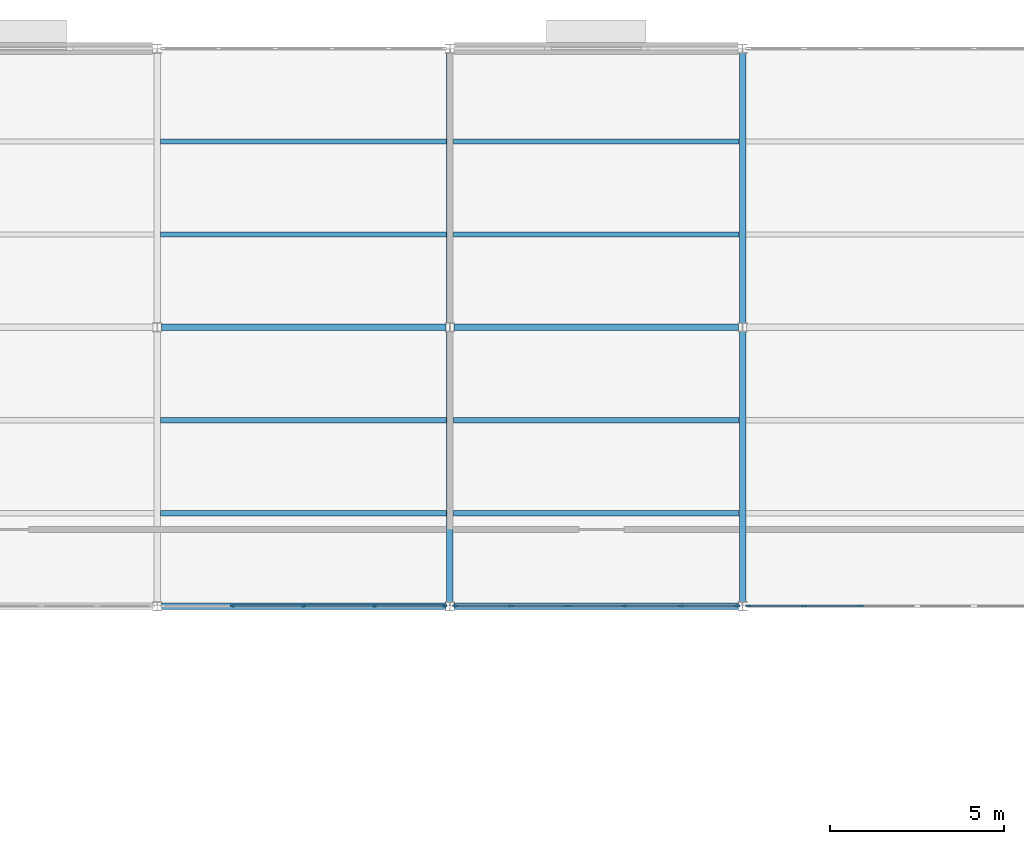
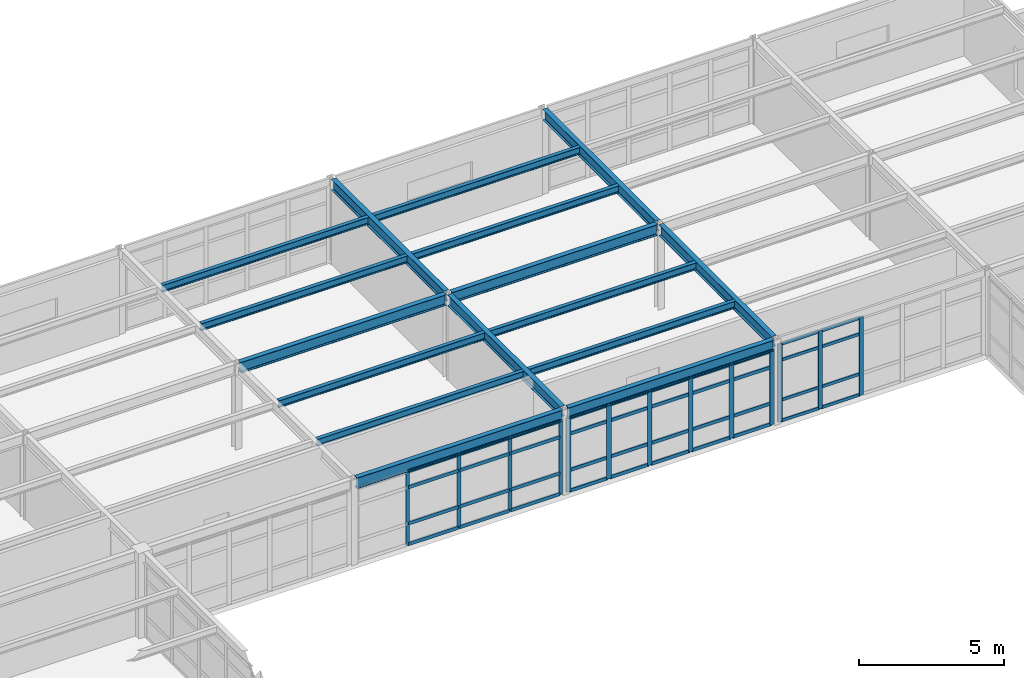
# One storey, part 28 of 53: 53 members, 16 beams, 3 elements without a shape of their own.
"""IFC4 building model written with IfcOpenShell, lengths in metres."""

from ifc_helpers import new_model, si_unit, direction, frame, origin, origin_2d, place, context, subcontext, project, spatial, rectangle, i_section, extrude, material, layer, layer_set, material_profile, profile_set, type_object, element, aggregate, save


model = new_model("IFC4")

# Units and contexts
model_context = context("Model", 3, precision=1e-05, world=origin(), true_north=direction((0.0, 1.0)))
body_context = subcontext(model_context, "Body", "Model", "MODEL_VIEW")
ifc_project = project(units=[si_unit("LENGTHUNIT", "METRE"), si_unit("AREAUNIT", "SQUARE_METRE"), si_unit("VOLUMEUNIT", "CUBIC_METRE"), si_unit("PLANEANGLEUNIT", "RADIAN"), si_unit("MASSUNIT", "GRAM", prefix="KILO")], contexts=[model_context])

# Site, building, storey
site_placement = place(None, origin())
site = spatial("IfcSite", under=ifc_project, at=site_placement, CompositionType="ELEMENT")
building_placement = place(site_placement, origin())
building = spatial("IfcBuilding", under=site, at=building_placement, Name="Kranzveld Transit Interchange", CompositionType="ELEMENT")
storey_placement = place(building_placement, frame((0.0, 0.0, 13.360107421875)))
storey = spatial("IfcBuildingStorey", under=building, at=storey_placement, Name="L03", CompositionType="ELEMENT", Elevation=13.360107421875)

# Beams
ifc_material_1 = material(Name="Steel S355JR", Category="steel")
ifc_material_profile_1 = material_profile(ifc_material_1, i_section(OverallWidth=0.18994140625, OverallDepth=0.453369140625, WebThickness=0.008544921875, FlangeThickness=0.0126953125, FilletRadius=0.01025390625, at=origin_2d()), Name="UB 457x191x67")
ifc_profile_set_1 = profile_set([ifc_material_profile_1], Name="Steel S355JR")
beam_type_1 = type_object("IfcBeamType", Name="Beam Steel UB 457x191x67 S355JR", PredefinedType="BEAM", material=ifc_profile_set_1)
for number, where, z_axis, x_axis, name in (
    (1, (134.39990234375, 96.1201171875, 3.353271484375), (0.0, 1.0, 0.0), (-1.0, 0.0, 0.0), "L03 Girder 17/N-P"),
    (2, (134.39990234375, 104.1201171875, 3.353271484375), (0.0, 1.0, 0.0), (-1.0, 0.0, 0.0), "L03 Girder 17/P-Q"),
    (3, (142.800048828125, 96.1201171875, 3.353271484375), (0.0, 1.0, 0.0), (-1.0, 0.0, 0.0), "L03 Girder 18/N-P"),
    (4, (142.800048828125, 104.1201171875, 3.353271484375), (0.0, 1.0, 0.0), (-1.0, 0.0, 0.0), "L03 Girder 18/P-Q"),
):
    element("IfcBeam", number, at=place(storey_placement, frame(where, z_axis=z_axis, x_axis=x_axis)), inside=storey, type_object=beam_type_1, Name=name, PredefinedType="BEAM", context=body_context, shape_type="SweptSolid", body=[
        extrude(i_section(OverallWidth=0.18994140625, OverallDepth=0.453369140625, WebThickness=0.008544921875, FlangeThickness=0.0126953125, FilletRadius=0.01025390625, at=origin_2d()), origin(), (0.0, 0.0, 1.0), 7.759765625),
    ])
ifc_material_2 = material(Name="Steel S355JR", Category="steel")
ifc_material_profile_2 = material_profile(ifc_material_2, i_section(OverallWidth=0.1904296875, OverallDepth=0.45703125, WebThickness=0.009033203125, FlangeThickness=0.014404296875, FilletRadius=0.01025390625, at=origin_2d()), Name="UB 457x191x74")
ifc_profile_set_2 = profile_set([ifc_material_profile_2], Name="Steel S355JR")
beam_type_2 = type_object("IfcBeamType", Name="Beam Steel UB 457x191x74 S355JR", PredefinedType="BEAM", material=ifc_profile_set_2)
for number, where, z_axis, x_axis, name in (
    (5, (126.1181640625, 96.0, 3.351318359375), (1.0, 0.0, 0.0), (0.0, 1.0, 0.0), "L03 Girder 16-17/N"),
    (6, (134.51806640625, 96.0, 3.351318359375), (1.0, 0.0, 0.0), (0.0, 1.0, 0.0), "L03 Girder 17-18/N"),
    (7, (126.1181640625, 104.0, 3.351318359375), (1.0, 0.0, 0.0), (0.0, 1.0, 0.0), "L03 Girder 16-17/P"),
    (8, (134.51806640625, 104.0, 3.351318359375), (1.0, 0.0, 0.0), (0.0, 1.0, 0.0), "L03 Girder 17-18/P"),
):
    element("IfcBeam", number, at=place(storey_placement, frame(where, z_axis=z_axis, x_axis=x_axis)), inside=storey, type_object=beam_type_2, Name=name, PredefinedType="BEAM", context=body_context, shape_type="SweptSolid", body=[
        extrude(i_section(OverallWidth=0.1904296875, OverallDepth=0.45703125, WebThickness=0.009033203125, FlangeThickness=0.014404296875, FilletRadius=0.01025390625, at=origin_2d()), origin(), (0.0, 0.0, 1.0), 8.163818359375),
    ])

# Curtain wall, members
ifc_material_3 = material(Name="Bronze-anodised thermally broken aluminium", Category="aluminium")
ifc_layer_1 = layer(ifc_material_3, 0.159912109375)
ifc_layer_set_1 = layer_set([ifc_layer_1], Name="Bronze-anodised thermally broken aluminium")
curtain_wall_type_1 = type_object("IfcCurtainWallType", Name="Bus Boarding Glazed Screen CW-3", PredefinedType="USERDEFINED", material=ifc_layer_set_1)
curtain_wall_1_placement = place(storey_placement, origin())
curtain_wall_1 = element("IfcCurtainWall", 9, at=curtain_wall_1_placement, inside=storey, type_object=curtain_wall_type_1, Name="L03 Curtain Wall 16/N-17/N", ObjectType="CURTAIN WALL", PredefinedType="USERDEFINED")
ifc_material_4 = material(Name="Bronze-anodised thermally broken aluminium", Category="aluminium")
ifc_material_profile_3 = material_profile(ifc_material_4, rectangle(XDim=0.06005859375, YDim=0.14990234375, at=origin_2d()), Name="ALU MULLION 60x150")
ifc_profile_set_3 = profile_set([ifc_material_profile_3], Name="Bronze-anodised thermally broken aluminium")
member_type_1 = type_object("IfcMemberType", Name="Curtain Wall Mullion 60x150 Alu", PredefinedType="MULLION", material=ifc_profile_set_3)
member_1_placement = place(storey_placement, frame((128.1640625, 96.0, 0.0), z_axis=(0.0, 0.0, 1.0), x_axis=(0.0, 1.0, 0.0)))
member_1 = element("IfcMember", 10, at=member_1_placement, type_object=member_type_1, Name="CW-3 mullion 2", PredefinedType="MULLION", context=body_context, shape_type="SweptSolid", body=[
    extrude(rectangle(XDim=0.06005859375, YDim=0.14990234375, at=origin_2d()), origin(), (0.0, 0.0, 1.0), 3.122802734375),
])
member_2_placement = place(storey_placement, frame((130.199951171875, 96.0, 0.0), z_axis=(0.0, 0.0, 1.0), x_axis=(0.0, 1.0, 0.0)))
member_2 = element("IfcMember", 11, at=member_2_placement, type_object=member_type_1, Name="CW-3 mullion 3", PredefinedType="MULLION", context=body_context, shape_type="SweptSolid", body=[
    extrude(rectangle(XDim=0.06005859375, YDim=0.14990234375, at=origin_2d()), origin(), (0.0, 0.0, 1.0), 3.122802734375),
])
member_3_placement = place(storey_placement, frame((132.23583984375, 96.0, 0.0), z_axis=(0.0, 0.0, 1.0), x_axis=(0.0, 1.0, 0.0)))
member_3 = element("IfcMember", 12, at=member_3_placement, type_object=member_type_1, Name="CW-3 mullion 4", PredefinedType="MULLION", context=body_context, shape_type="SweptSolid", body=[
    extrude(rectangle(XDim=0.06005859375, YDim=0.14990234375, at=origin_2d()), origin(), (0.0, 0.0, 1.0), 3.122802734375),
])
member_4_placement = place(storey_placement, frame((134.241943359375, 96.0, 0.0), z_axis=(0.0, 0.0, 1.0), x_axis=(0.0, 1.0, 0.0)))
member_4 = element("IfcMember", 13, at=member_4_placement, type_object=member_type_1, Name="CW-3 mullion 5", PredefinedType="MULLION", context=body_context, shape_type="SweptSolid", body=[
    extrude(rectangle(XDim=0.06005859375, YDim=0.14990234375, at=origin_2d()), origin(), (0.0, 0.0, 1.0), 3.122802734375),
])

ifc_material_5 = material(Name="Bronze-anodised thermally broken aluminium", Category="aluminium")
ifc_layer_2 = layer(ifc_material_5, 0.1650390625)
ifc_layer_set_2 = layer_set([ifc_layer_2], Name="Bronze-anodised thermally broken aluminium")
curtain_wall_type_2 = type_object("IfcCurtainWallType", Name="Sunny Court Arcade Curtain Wall CW-2", PredefinedType="USERDEFINED", material=ifc_layer_set_2)
curtain_wall_2_placement = place(storey_placement, origin())
curtain_wall_2 = element("IfcCurtainWall", 14, at=curtain_wall_2_placement, inside=storey, type_object=curtain_wall_type_2, Name="L03 Curtain Wall 18/N-19/N", ObjectType="CURTAIN WALL", PredefinedType="USERDEFINED")
ifc_material_6 = material(Name="Bronze-anodised thermally broken aluminium", Category="aluminium")
ifc_material_profile_4 = material_profile(ifc_material_6, rectangle(XDim=0.06494140625, YDim=0.1650390625, at=origin_2d()), Name="ALU MULLION 65x165")
ifc_profile_set_4 = profile_set([ifc_material_profile_4], Name="Bronze-anodised thermally broken aluminium")
member_type_2 = type_object("IfcMemberType", Name="Curtain Wall Mullion 65x165 Alu", PredefinedType="MULLION", material=ifc_profile_set_4)
member_5_placement = place(storey_placement, frame((142.960693359375, 96.0, 0.0), z_axis=(0.0, 0.0, 1.0), x_axis=(0.0, 1.0, 0.0)))
member_5 = element("IfcMember", 15, at=member_5_placement, type_object=member_type_2, Name="CW-2 mullion 1", PredefinedType="MULLION", context=body_context, shape_type="SweptSolid", body=[
    extrude(rectangle(XDim=0.06494140625, YDim=0.1650390625, at=origin_2d()), origin(), (0.0, 0.0, 1.0), 3.27978515625),
])
member_6_placement = place(storey_placement, frame((144.556884765625, 96.0, 0.0), z_axis=(0.0, 0.0, 1.0), x_axis=(0.0, 1.0, 0.0)))
member_6 = element("IfcMember", 16, at=member_6_placement, type_object=member_type_2, Name="CW-2 mullion 2", PredefinedType="MULLION", context=body_context, shape_type="SweptSolid", body=[
    extrude(rectangle(XDim=0.06494140625, YDim=0.1650390625, at=origin_2d()), origin(), (0.0, 0.0, 1.0), 3.27978515625),
])
member_7_placement = place(storey_placement, frame((146.185546875, 96.0, 0.0), z_axis=(0.0, 0.0, 1.0), x_axis=(0.0, 1.0, 0.0)))
member_7 = element("IfcMember", 17, at=member_7_placement, type_object=member_type_2, Name="CW-2 mullion 3", PredefinedType="MULLION", context=body_context, shape_type="SweptSolid", body=[
    extrude(rectangle(XDim=0.06494140625, YDim=0.1650390625, at=origin_2d()), origin(), (0.0, 0.0, 1.0), 3.27978515625),
])

ifc_material_7 = material(Name="Bronze-anodised thermally broken aluminium", Category="aluminium")
ifc_layer_3 = layer(ifc_material_7, 0.179931640625)
ifc_layer_set_3 = layer_set([ifc_layer_3], Name="Bronze-anodised thermally broken aluminium")
curtain_wall_type_3 = type_object("IfcCurtainWallType", Name="Concourse Unitised Curtain Wall CW-1", PredefinedType="USERDEFINED", material=ifc_layer_set_3)
curtain_wall_3_placement = place(storey_placement, origin())
curtain_wall_3 = element("IfcCurtainWall", 18, at=curtain_wall_3_placement, inside=storey, type_object=curtain_wall_type_3, Name="L03 Curtain Wall 17/N-18/N", ObjectType="CURTAIN WALL", PredefinedType="USERDEFINED")
ifc_material_8 = material(Name="Bronze-anodised thermally broken aluminium", Category="aluminium")
ifc_material_profile_5 = material_profile(ifc_material_8, rectangle(XDim=0.06494140625, YDim=0.179931640625, at=origin_2d()), Name="ALU MULLION 65x180")
ifc_profile_set_5 = profile_set([ifc_material_profile_5], Name="Bronze-anodised thermally broken aluminium")
member_type_3 = type_object("IfcMemberType", Name="Curtain Wall Mullion 65x180 Alu", PredefinedType="MULLION", material=ifc_profile_set_5)
member_8_placement = place(storey_placement, frame((134.560546875, 96.0, 0.0), z_axis=(0.0, 0.0, 1.0), x_axis=(0.0, 1.0, 0.0)))
member_8 = element("IfcMember", 19, at=member_8_placement, type_object=member_type_3, Name="CW-1 mullion 1", PredefinedType="MULLION", context=body_context, shape_type="SweptSolid", body=[
    extrude(rectangle(XDim=0.06494140625, YDim=0.179931640625, at=origin_2d()), origin(), (0.0, 0.0, 1.0), 3.122802734375),
])
member_9_placement = place(storey_placement, frame((136.15673828125, 96.0, 0.0), z_axis=(0.0, 0.0, 1.0), x_axis=(0.0, 1.0, 0.0)))
member_9 = element("IfcMember", 20, at=member_9_placement, type_object=member_type_3, Name="CW-1 mullion 2", PredefinedType="MULLION", context=body_context, shape_type="SweptSolid", body=[
    extrude(rectangle(XDim=0.06494140625, YDim=0.179931640625, at=origin_2d()), origin(), (0.0, 0.0, 1.0), 3.122802734375),
])
member_10_placement = place(storey_placement, frame((137.78564453125, 96.0, 0.0), z_axis=(0.0, 0.0, 1.0), x_axis=(0.0, 1.0, 0.0)))
member_10 = element("IfcMember", 21, at=member_10_placement, type_object=member_type_3, Name="CW-1 mullion 3", PredefinedType="MULLION", context=body_context, shape_type="SweptSolid", body=[
    extrude(rectangle(XDim=0.06494140625, YDim=0.179931640625, at=origin_2d()), origin(), (0.0, 0.0, 1.0), 3.122802734375),
])
member_11_placement = place(storey_placement, frame((139.414306640625, 96.0, 0.0), z_axis=(0.0, 0.0, 1.0), x_axis=(0.0, 1.0, 0.0)))
member_11 = element("IfcMember", 22, at=member_11_placement, type_object=member_type_3, Name="CW-1 mullion 4", PredefinedType="MULLION", context=body_context, shape_type="SweptSolid", body=[
    extrude(rectangle(XDim=0.06494140625, YDim=0.179931640625, at=origin_2d()), origin(), (0.0, 0.0, 1.0), 3.122802734375),
])
member_12_placement = place(storey_placement, frame((141.043212890625, 96.0, 0.0), z_axis=(0.0, 0.0, 1.0), x_axis=(0.0, 1.0, 0.0)))
member_12 = element("IfcMember", 23, at=member_12_placement, type_object=member_type_3, Name="CW-1 mullion 5", PredefinedType="MULLION", context=body_context, shape_type="SweptSolid", body=[
    extrude(rectangle(XDim=0.06494140625, YDim=0.179931640625, at=origin_2d()), origin(), (0.0, 0.0, 1.0), 3.122802734375),
])
member_13_placement = place(storey_placement, frame((142.639404296875, 96.0, 0.0), z_axis=(0.0, 0.0, 1.0), x_axis=(0.0, 1.0, 0.0)))
member_13 = element("IfcMember", 24, at=member_13_placement, type_object=member_type_3, Name="CW-1 mullion 6", PredefinedType="MULLION", context=body_context, shape_type="SweptSolid", body=[
    extrude(rectangle(XDim=0.06494140625, YDim=0.179931640625, at=origin_2d()), origin(), (0.0, 0.0, 1.0), 3.122802734375),
])

# Member
ifc_material_9 = material(Name="Bronze-anodised thermally broken aluminium", Category="aluminium")
ifc_material_profile_6 = material_profile(ifc_material_9, rectangle(XDim=0.06005859375, YDim=0.125, at=origin_2d()), Name="ALU TRANSOM 60x125")
ifc_profile_set_6 = profile_set([ifc_material_profile_6], Name="Bronze-anodised thermally broken aluminium")
member_type_4 = type_object("IfcMemberType", Name="Curtain Wall Transom 60x125 Alu", PredefinedType="USERDEFINED", material=ifc_profile_set_6)
member_14_placement = place(storey_placement, frame((142.9931640625, 96.0, 0.02978515625), z_axis=(1.0, 0.0, 0.0), x_axis=(0.0, 1.0, 0.0)))
member_14 = element("IfcMember", 25, at=member_14_placement, type_object=member_type_4, Name="CW-2 transom 1.1", ObjectType="TRANSOM", PredefinedType="USERDEFINED", context=body_context, shape_type="SweptSolid", body=[
    extrude(rectangle(XDim=0.06005859375, YDim=0.125, at=origin_2d()), origin(), (0.0, 0.0, 1.0), 1.53125),
])

member_15_placement = place(storey_placement, frame((142.9931640625, 96.0, 0.89990234375), z_axis=(1.0, 0.0, 0.0), x_axis=(0.0, 1.0, 0.0)))
member_15 = element("IfcMember", 26, at=member_15_placement, type_object=member_type_4, Name="CW-2 transom 1.2", ObjectType="TRANSOM", PredefinedType="USERDEFINED", context=body_context, shape_type="SweptSolid", body=[
    extrude(rectangle(XDim=0.06005859375, YDim=0.125, at=origin_2d()), origin(), (0.0, 0.0, 1.0), 1.53125),
])

member_16_placement = place(storey_placement, frame((142.9931640625, 96.0, 2.579833984375), z_axis=(1.0, 0.0, 0.0), x_axis=(0.0, 1.0, 0.0)))
member_16 = element("IfcMember", 27, at=member_16_placement, type_object=member_type_4, Name="CW-2 transom 1.3", ObjectType="TRANSOM", PredefinedType="USERDEFINED", context=body_context, shape_type="SweptSolid", body=[
    extrude(rectangle(XDim=0.06005859375, YDim=0.125, at=origin_2d()), origin(), (0.0, 0.0, 1.0), 1.53125),
])

member_17_placement = place(storey_placement, frame((142.9931640625, 96.0, 3.25), z_axis=(1.0, 0.0, 0.0), x_axis=(0.0, 1.0, 0.0)))
member_17 = element("IfcMember", 28, at=member_17_placement, type_object=member_type_4, Name="CW-2 transom 1.4", ObjectType="TRANSOM", PredefinedType="USERDEFINED", context=body_context, shape_type="SweptSolid", body=[
    extrude(rectangle(XDim=0.06005859375, YDim=0.125, at=origin_2d()), origin(), (0.0, 0.0, 1.0), 1.53125),
])

member_18_placement = place(storey_placement, frame((144.58935546875, 96.0, 0.02978515625), z_axis=(1.0, 0.0, 0.0), x_axis=(0.0, 1.0, 0.0)))
member_18 = element("IfcMember", 29, at=member_18_placement, type_object=member_type_4, Name="CW-2 transom 2.1", ObjectType="TRANSOM", PredefinedType="USERDEFINED", context=body_context, shape_type="SweptSolid", body=[
    extrude(rectangle(XDim=0.06005859375, YDim=0.125, at=origin_2d()), origin(), (0.0, 0.0, 1.0), 1.563720703125),
])

member_19_placement = place(storey_placement, frame((144.58935546875, 96.0, 0.89990234375), z_axis=(1.0, 0.0, 0.0), x_axis=(0.0, 1.0, 0.0)))
member_19 = element("IfcMember", 30, at=member_19_placement, type_object=member_type_4, Name="CW-2 transom 2.2", ObjectType="TRANSOM", PredefinedType="USERDEFINED", context=body_context, shape_type="SweptSolid", body=[
    extrude(rectangle(XDim=0.06005859375, YDim=0.125, at=origin_2d()), origin(), (0.0, 0.0, 1.0), 1.563720703125),
])

member_20_placement = place(storey_placement, frame((144.58935546875, 96.0, 2.579833984375), z_axis=(1.0, 0.0, 0.0), x_axis=(0.0, 1.0, 0.0)))
member_20 = element("IfcMember", 31, at=member_20_placement, type_object=member_type_4, Name="CW-2 transom 2.3", ObjectType="TRANSOM", PredefinedType="USERDEFINED", context=body_context, shape_type="SweptSolid", body=[
    extrude(rectangle(XDim=0.06005859375, YDim=0.125, at=origin_2d()), origin(), (0.0, 0.0, 1.0), 1.563720703125),
])

member_21_placement = place(storey_placement, frame((144.58935546875, 96.0, 3.25), z_axis=(1.0, 0.0, 0.0), x_axis=(0.0, 1.0, 0.0)))
member_21 = element("IfcMember", 32, at=member_21_placement, type_object=member_type_4, Name="CW-2 transom 2.4", ObjectType="TRANSOM", PredefinedType="USERDEFINED", context=body_context, shape_type="SweptSolid", body=[
    extrude(rectangle(XDim=0.06005859375, YDim=0.125, at=origin_2d()), origin(), (0.0, 0.0, 1.0), 1.563720703125),
])

aggregate(curtain_wall_2, [member_5, member_6, member_7, member_14, member_15, member_16, member_17, member_18, member_19, member_20, member_21])

ifc_material_10 = material(Name="Bronze-anodised thermally broken aluminium", Category="aluminium")
ifc_material_profile_7 = material_profile(ifc_material_10, rectangle(XDim=0.06494140625, YDim=0.139892578125, at=origin_2d()), Name="ALU TRANSOM 65x140")
ifc_profile_set_7 = profile_set([ifc_material_profile_7], Name="Bronze-anodised thermally broken aluminium")
member_type_5 = type_object("IfcMemberType", Name="Curtain Wall Transom 65x140 Alu", PredefinedType="USERDEFINED", material=ifc_profile_set_7)
member_22_placement = place(storey_placement, frame((128.194091796875, 96.0, 0.032470703125), z_axis=(1.0, 0.0, 0.0), x_axis=(0.0, 1.0, 0.0)))
member_22 = element("IfcMember", 33, at=member_22_placement, type_object=member_type_5, Name="CW-3 transom 2.1", ObjectType="TRANSOM", PredefinedType="USERDEFINED", context=body_context, shape_type="SweptSolid", body=[
    extrude(rectangle(XDim=0.06494140625, YDim=0.139892578125, at=origin_2d()), origin(), (0.0, 0.0, 1.0), 1.975830078125),
])

member_23_placement = place(storey_placement, frame((128.194091796875, 96.0, 0.89990234375), z_axis=(1.0, 0.0, 0.0), x_axis=(0.0, 1.0, 0.0)))
member_23 = element("IfcMember", 34, at=member_23_placement, type_object=member_type_5, Name="CW-3 transom 2.2", ObjectType="TRANSOM", PredefinedType="USERDEFINED", context=body_context, shape_type="SweptSolid", body=[
    extrude(rectangle(XDim=0.06494140625, YDim=0.139892578125, at=origin_2d()), origin(), (0.0, 0.0, 1.0), 1.975830078125),
])

member_24_placement = place(storey_placement, frame((128.194091796875, 96.0, 2.4228515625), z_axis=(1.0, 0.0, 0.0), x_axis=(0.0, 1.0, 0.0)))
member_24 = element("IfcMember", 35, at=member_24_placement, type_object=member_type_5, Name="CW-3 transom 2.3", ObjectType="TRANSOM", PredefinedType="USERDEFINED", context=body_context, shape_type="SweptSolid", body=[
    extrude(rectangle(XDim=0.06494140625, YDim=0.139892578125, at=origin_2d()), origin(), (0.0, 0.0, 1.0), 1.975830078125),
])

member_25_placement = place(storey_placement, frame((128.194091796875, 96.0, 3.09033203125), z_axis=(1.0, 0.0, 0.0), x_axis=(0.0, 1.0, 0.0)))
member_25 = element("IfcMember", 36, at=member_25_placement, type_object=member_type_5, Name="CW-3 transom 2.4", ObjectType="TRANSOM", PredefinedType="USERDEFINED", context=body_context, shape_type="SweptSolid", body=[
    extrude(rectangle(XDim=0.06494140625, YDim=0.139892578125, at=origin_2d()), origin(), (0.0, 0.0, 1.0), 1.975830078125),
])

member_26_placement = place(storey_placement, frame((130.22998046875, 96.0, 0.032470703125), z_axis=(1.0, 0.0, 0.0), x_axis=(0.0, 1.0, 0.0)))
member_26 = element("IfcMember", 37, at=member_26_placement, type_object=member_type_5, Name="CW-3 transom 3.1", ObjectType="TRANSOM", PredefinedType="USERDEFINED", context=body_context, shape_type="SweptSolid", body=[
    extrude(rectangle(XDim=0.06494140625, YDim=0.139892578125, at=origin_2d()), origin(), (0.0, 0.0, 1.0), 1.97607421875),
])

member_27_placement = place(storey_placement, frame((130.22998046875, 96.0, 0.89990234375), z_axis=(1.0, 0.0, 0.0), x_axis=(0.0, 1.0, 0.0)))
member_27 = element("IfcMember", 38, at=member_27_placement, type_object=member_type_5, Name="CW-3 transom 3.2", ObjectType="TRANSOM", PredefinedType="USERDEFINED", context=body_context, shape_type="SweptSolid", body=[
    extrude(rectangle(XDim=0.06494140625, YDim=0.139892578125, at=origin_2d()), origin(), (0.0, 0.0, 1.0), 1.97607421875),
])

member_28_placement = place(storey_placement, frame((130.22998046875, 96.0, 2.4228515625), z_axis=(1.0, 0.0, 0.0), x_axis=(0.0, 1.0, 0.0)))
member_28 = element("IfcMember", 39, at=member_28_placement, type_object=member_type_5, Name="CW-3 transom 3.3", ObjectType="TRANSOM", PredefinedType="USERDEFINED", context=body_context, shape_type="SweptSolid", body=[
    extrude(rectangle(XDim=0.06494140625, YDim=0.139892578125, at=origin_2d()), origin(), (0.0, 0.0, 1.0), 1.97607421875),
])

member_29_placement = place(storey_placement, frame((130.22998046875, 96.0, 3.09033203125), z_axis=(1.0, 0.0, 0.0), x_axis=(0.0, 1.0, 0.0)))
member_29 = element("IfcMember", 40, at=member_29_placement, type_object=member_type_5, Name="CW-3 transom 3.4", ObjectType="TRANSOM", PredefinedType="USERDEFINED", context=body_context, shape_type="SweptSolid", body=[
    extrude(rectangle(XDim=0.06494140625, YDim=0.139892578125, at=origin_2d()), origin(), (0.0, 0.0, 1.0), 1.97607421875),
])

member_30_placement = place(storey_placement, frame((132.265869140625, 96.0, 0.032470703125), z_axis=(1.0, 0.0, 0.0), x_axis=(0.0, 1.0, 0.0)))
member_30 = element("IfcMember", 41, at=member_30_placement, type_object=member_type_5, Name="CW-3 transom 4.1", ObjectType="TRANSOM", PredefinedType="USERDEFINED", context=body_context, shape_type="SweptSolid", body=[
    extrude(rectangle(XDim=0.06494140625, YDim=0.139892578125, at=origin_2d()), origin(), (0.0, 0.0, 1.0), 1.946044921875),
])

member_31_placement = place(storey_placement, frame((132.265869140625, 96.0, 0.89990234375), z_axis=(1.0, 0.0, 0.0), x_axis=(0.0, 1.0, 0.0)))
member_31 = element("IfcMember", 42, at=member_31_placement, type_object=member_type_5, Name="CW-3 transom 4.2", ObjectType="TRANSOM", PredefinedType="USERDEFINED", context=body_context, shape_type="SweptSolid", body=[
    extrude(rectangle(XDim=0.06494140625, YDim=0.139892578125, at=origin_2d()), origin(), (0.0, 0.0, 1.0), 1.946044921875),
])

member_32_placement = place(storey_placement, frame((132.265869140625, 96.0, 2.4228515625), z_axis=(1.0, 0.0, 0.0), x_axis=(0.0, 1.0, 0.0)))
member_32 = element("IfcMember", 43, at=member_32_placement, type_object=member_type_5, Name="CW-3 transom 4.3", ObjectType="TRANSOM", PredefinedType="USERDEFINED", context=body_context, shape_type="SweptSolid", body=[
    extrude(rectangle(XDim=0.06494140625, YDim=0.139892578125, at=origin_2d()), origin(), (0.0, 0.0, 1.0), 1.946044921875),
])

member_33_placement = place(storey_placement, frame((132.265869140625, 96.0, 3.09033203125), z_axis=(1.0, 0.0, 0.0), x_axis=(0.0, 1.0, 0.0)))
member_33 = element("IfcMember", 44, at=member_33_placement, type_object=member_type_5, Name="CW-3 transom 4.4", ObjectType="TRANSOM", PredefinedType="USERDEFINED", context=body_context, shape_type="SweptSolid", body=[
    extrude(rectangle(XDim=0.06494140625, YDim=0.139892578125, at=origin_2d()), origin(), (0.0, 0.0, 1.0), 1.946044921875),
])

aggregate(curtain_wall_1, [member_1, member_2, member_3, member_4, member_22, member_23, member_24, member_25, member_26, member_27, member_28, member_29, member_30, member_31, member_32, member_33])

member_34_placement = place(storey_placement, frame((134.593017578125, 96.0, 0.032470703125), z_axis=(1.0, 0.0, 0.0), x_axis=(0.0, 1.0, 0.0)))
member_34 = element("IfcMember", 45, at=member_34_placement, type_object=member_type_5, Name="CW-1 transom 1.1", ObjectType="TRANSOM", PredefinedType="USERDEFINED", context=body_context, shape_type="SweptSolid", body=[
    extrude(rectangle(XDim=0.06494140625, YDim=0.139892578125, at=origin_2d()), origin(), (0.0, 0.0, 1.0), 1.53125),
])

member_35_placement = place(storey_placement, frame((134.593017578125, 96.0, 0.89990234375), z_axis=(1.0, 0.0, 0.0), x_axis=(0.0, 1.0, 0.0)))
member_35 = element("IfcMember", 46, at=member_35_placement, type_object=member_type_5, Name="CW-1 transom 1.2", ObjectType="TRANSOM", PredefinedType="USERDEFINED", context=body_context, shape_type="SweptSolid", body=[
    extrude(rectangle(XDim=0.06494140625, YDim=0.139892578125, at=origin_2d()), origin(), (0.0, 0.0, 1.0), 1.53125),
])

member_36_placement = place(storey_placement, frame((134.593017578125, 96.0, 2.4228515625), z_axis=(1.0, 0.0, 0.0), x_axis=(0.0, 1.0, 0.0)))
member_36 = element("IfcMember", 47, at=member_36_placement, type_object=member_type_5, Name="CW-1 transom 1.3", ObjectType="TRANSOM", PredefinedType="USERDEFINED", context=body_context, shape_type="SweptSolid", body=[
    extrude(rectangle(XDim=0.06494140625, YDim=0.139892578125, at=origin_2d()), origin(), (0.0, 0.0, 1.0), 1.53125),
])

member_37_placement = place(storey_placement, frame((134.593017578125, 96.0, 3.09033203125), z_axis=(1.0, 0.0, 0.0), x_axis=(0.0, 1.0, 0.0)))
member_37 = element("IfcMember", 48, at=member_37_placement, type_object=member_type_5, Name="CW-1 transom 1.4", ObjectType="TRANSOM", PredefinedType="USERDEFINED", context=body_context, shape_type="SweptSolid", body=[
    extrude(rectangle(XDim=0.06494140625, YDim=0.139892578125, at=origin_2d()), origin(), (0.0, 0.0, 1.0), 1.53125),
])

member_38_placement = place(storey_placement, frame((136.189453125, 96.0, 0.032470703125), z_axis=(1.0, 0.0, 0.0), x_axis=(0.0, 1.0, 0.0)))
member_38 = element("IfcMember", 49, at=member_38_placement, type_object=member_type_5, Name="CW-1 transom 2.1", ObjectType="TRANSOM", PredefinedType="USERDEFINED", context=body_context, shape_type="SweptSolid", body=[
    extrude(rectangle(XDim=0.06494140625, YDim=0.139892578125, at=origin_2d()), origin(), (0.0, 0.0, 1.0), 1.563720703125),
])

member_39_placement = place(storey_placement, frame((136.189453125, 96.0, 0.89990234375), z_axis=(1.0, 0.0, 0.0), x_axis=(0.0, 1.0, 0.0)))
member_39 = element("IfcMember", 50, at=member_39_placement, type_object=member_type_5, Name="CW-1 transom 2.2", ObjectType="TRANSOM", PredefinedType="USERDEFINED", context=body_context, shape_type="SweptSolid", body=[
    extrude(rectangle(XDim=0.06494140625, YDim=0.139892578125, at=origin_2d()), origin(), (0.0, 0.0, 1.0), 1.563720703125),
])

member_40_placement = place(storey_placement, frame((136.189453125, 96.0, 2.4228515625), z_axis=(1.0, 0.0, 0.0), x_axis=(0.0, 1.0, 0.0)))
member_40 = element("IfcMember", 51, at=member_40_placement, type_object=member_type_5, Name="CW-1 transom 2.3", ObjectType="TRANSOM", PredefinedType="USERDEFINED", context=body_context, shape_type="SweptSolid", body=[
    extrude(rectangle(XDim=0.06494140625, YDim=0.139892578125, at=origin_2d()), origin(), (0.0, 0.0, 1.0), 1.563720703125),
])

member_41_placement = place(storey_placement, frame((136.189453125, 96.0, 3.09033203125), z_axis=(1.0, 0.0, 0.0), x_axis=(0.0, 1.0, 0.0)))
member_41 = element("IfcMember", 52, at=member_41_placement, type_object=member_type_5, Name="CW-1 transom 2.4", ObjectType="TRANSOM", PredefinedType="USERDEFINED", context=body_context, shape_type="SweptSolid", body=[
    extrude(rectangle(XDim=0.06494140625, YDim=0.139892578125, at=origin_2d()), origin(), (0.0, 0.0, 1.0), 1.563720703125),
])

member_42_placement = place(storey_placement, frame((137.818115234375, 96.0, 0.032470703125), z_axis=(1.0, 0.0, 0.0), x_axis=(0.0, 1.0, 0.0)))
member_42 = element("IfcMember", 53, at=member_42_placement, type_object=member_type_5, Name="CW-1 transom 3.1", ObjectType="TRANSOM", PredefinedType="USERDEFINED", context=body_context, shape_type="SweptSolid", body=[
    extrude(rectangle(XDim=0.06494140625, YDim=0.139892578125, at=origin_2d()), origin(), (0.0, 0.0, 1.0), 1.563720703125),
])

member_43_placement = place(storey_placement, frame((137.818115234375, 96.0, 0.89990234375), z_axis=(1.0, 0.0, 0.0), x_axis=(0.0, 1.0, 0.0)))
member_43 = element("IfcMember", 54, at=member_43_placement, type_object=member_type_5, Name="CW-1 transom 3.2", ObjectType="TRANSOM", PredefinedType="USERDEFINED", context=body_context, shape_type="SweptSolid", body=[
    extrude(rectangle(XDim=0.06494140625, YDim=0.139892578125, at=origin_2d()), origin(), (0.0, 0.0, 1.0), 1.563720703125),
])

member_44_placement = place(storey_placement, frame((137.818115234375, 96.0, 2.4228515625), z_axis=(1.0, 0.0, 0.0), x_axis=(0.0, 1.0, 0.0)))
member_44 = element("IfcMember", 55, at=member_44_placement, type_object=member_type_5, Name="CW-1 transom 3.3", ObjectType="TRANSOM", PredefinedType="USERDEFINED", context=body_context, shape_type="SweptSolid", body=[
    extrude(rectangle(XDim=0.06494140625, YDim=0.139892578125, at=origin_2d()), origin(), (0.0, 0.0, 1.0), 1.563720703125),
])

member_45_placement = place(storey_placement, frame((137.818115234375, 96.0, 3.09033203125), z_axis=(1.0, 0.0, 0.0), x_axis=(0.0, 1.0, 0.0)))
member_45 = element("IfcMember", 56, at=member_45_placement, type_object=member_type_5, Name="CW-1 transom 3.4", ObjectType="TRANSOM", PredefinedType="USERDEFINED", context=body_context, shape_type="SweptSolid", body=[
    extrude(rectangle(XDim=0.06494140625, YDim=0.139892578125, at=origin_2d()), origin(), (0.0, 0.0, 1.0), 1.563720703125),
])

member_46_placement = place(storey_placement, frame((139.44677734375, 96.0, 0.032470703125), z_axis=(1.0, 0.0, 0.0), x_axis=(0.0, 1.0, 0.0)))
member_46 = element("IfcMember", 57, at=member_46_placement, type_object=member_type_5, Name="CW-1 transom 4.1", ObjectType="TRANSOM", PredefinedType="USERDEFINED", context=body_context, shape_type="SweptSolid", body=[
    extrude(rectangle(XDim=0.06494140625, YDim=0.139892578125, at=origin_2d()), origin(), (0.0, 0.0, 1.0), 1.56396484375),
])

member_47_placement = place(storey_placement, frame((139.44677734375, 96.0, 0.89990234375), z_axis=(1.0, 0.0, 0.0), x_axis=(0.0, 1.0, 0.0)))
member_47 = element("IfcMember", 58, at=member_47_placement, type_object=member_type_5, Name="CW-1 transom 4.2", ObjectType="TRANSOM", PredefinedType="USERDEFINED", context=body_context, shape_type="SweptSolid", body=[
    extrude(rectangle(XDim=0.06494140625, YDim=0.139892578125, at=origin_2d()), origin(), (0.0, 0.0, 1.0), 1.56396484375),
])

member_48_placement = place(storey_placement, frame((139.44677734375, 96.0, 2.4228515625), z_axis=(1.0, 0.0, 0.0), x_axis=(0.0, 1.0, 0.0)))
member_48 = element("IfcMember", 59, at=member_48_placement, type_object=member_type_5, Name="CW-1 transom 4.3", ObjectType="TRANSOM", PredefinedType="USERDEFINED", context=body_context, shape_type="SweptSolid", body=[
    extrude(rectangle(XDim=0.06494140625, YDim=0.139892578125, at=origin_2d()), origin(), (0.0, 0.0, 1.0), 1.56396484375),
])

member_49_placement = place(storey_placement, frame((139.44677734375, 96.0, 3.09033203125), z_axis=(1.0, 0.0, 0.0), x_axis=(0.0, 1.0, 0.0)))
member_49 = element("IfcMember", 60, at=member_49_placement, type_object=member_type_5, Name="CW-1 transom 4.4", ObjectType="TRANSOM", PredefinedType="USERDEFINED", context=body_context, shape_type="SweptSolid", body=[
    extrude(rectangle(XDim=0.06494140625, YDim=0.139892578125, at=origin_2d()), origin(), (0.0, 0.0, 1.0), 1.56396484375),
])

member_50_placement = place(storey_placement, frame((141.07568359375, 96.0, 0.032470703125), z_axis=(1.0, 0.0, 0.0), x_axis=(0.0, 1.0, 0.0)))
member_50 = element("IfcMember", 61, at=member_50_placement, type_object=member_type_5, Name="CW-1 transom 5.1", ObjectType="TRANSOM", PredefinedType="USERDEFINED", context=body_context, shape_type="SweptSolid", body=[
    extrude(rectangle(XDim=0.06494140625, YDim=0.139892578125, at=origin_2d()), origin(), (0.0, 0.0, 1.0), 1.53125),
])

member_51_placement = place(storey_placement, frame((141.07568359375, 96.0, 0.89990234375), z_axis=(1.0, 0.0, 0.0), x_axis=(0.0, 1.0, 0.0)))
member_51 = element("IfcMember", 62, at=member_51_placement, type_object=member_type_5, Name="CW-1 transom 5.2", ObjectType="TRANSOM", PredefinedType="USERDEFINED", context=body_context, shape_type="SweptSolid", body=[
    extrude(rectangle(XDim=0.06494140625, YDim=0.139892578125, at=origin_2d()), origin(), (0.0, 0.0, 1.0), 1.53125),
])

member_52_placement = place(storey_placement, frame((141.07568359375, 96.0, 2.4228515625), z_axis=(1.0, 0.0, 0.0), x_axis=(0.0, 1.0, 0.0)))
member_52 = element("IfcMember", 63, at=member_52_placement, type_object=member_type_5, Name="CW-1 transom 5.3", ObjectType="TRANSOM", PredefinedType="USERDEFINED", context=body_context, shape_type="SweptSolid", body=[
    extrude(rectangle(XDim=0.06494140625, YDim=0.139892578125, at=origin_2d()), origin(), (0.0, 0.0, 1.0), 1.53125),
])

member_53_placement = place(storey_placement, frame((141.07568359375, 96.0, 3.09033203125), z_axis=(1.0, 0.0, 0.0), x_axis=(0.0, 1.0, 0.0)))
member_53 = element("IfcMember", 64, at=member_53_placement, type_object=member_type_5, Name="CW-1 transom 5.4", ObjectType="TRANSOM", PredefinedType="USERDEFINED", context=body_context, shape_type="SweptSolid", body=[
    extrude(rectangle(XDim=0.06494140625, YDim=0.139892578125, at=origin_2d()), origin(), (0.0, 0.0, 1.0), 1.53125),
])

aggregate(curtain_wall_3, [member_8, member_9, member_10, member_11, member_12, member_13, member_34, member_35, member_36, member_37, member_38, member_39, member_40, member_41, member_42, member_43, member_44, member_45, member_46, member_47, member_48, member_49, member_50, member_51, member_52, member_53])

# Beams
ifc_material_11 = material(Name="Steel S355JR", Category="steel")
ifc_material_profile_8 = material_profile(ifc_material_11, i_section(OverallWidth=0.14990234375, OverallDepth=0.300048828125, WebThickness=0.007080078125, FlangeThickness=0.0107421875, FilletRadius=0.014892578125, at=origin_2d()), Name="IPE 300")
ifc_profile_set_8 = profile_set([ifc_material_profile_8], Name="Steel S355JR")
beam_type_3 = type_object("IfcBeamType", Name="Deck Joist IPE 300 S355JR", PredefinedType="JOIST", material=ifc_profile_set_8)
for number, where, z_axis, x_axis, name in (
    (65, (126.096923828125, 98.666748046875, 3.429931640625), (1.0, 0.0, 0.0), (0.0, 1.0, 0.0), "L03 Secondary Joist 16-17/N.1"),
    (66, (126.096923828125, 101.333251953125, 3.429931640625), (1.0, 0.0, 0.0), (0.0, 1.0, 0.0), "L03 Secondary Joist 16-17/N.2"),
    (67, (126.096923828125, 106.666748046875, 3.429931640625), (1.0, 0.0, 0.0), (0.0, 1.0, 0.0), "L03 Secondary Joist 16-17/P.1"),
    (68, (126.096923828125, 109.333251953125, 3.429931640625), (1.0, 0.0, 0.0), (0.0, 1.0, 0.0), "L03 Secondary Joist 16-17/P.2"),
    (69, (134.4970703125, 98.666748046875, 3.429931640625), (1.0, 0.0, 0.0), (0.0, 1.0, 0.0), "L03 Secondary Joist 17-18/N.1"),
    (70, (134.4970703125, 101.333251953125, 3.429931640625), (1.0, 0.0, 0.0), (0.0, 1.0, 0.0), "L03 Secondary Joist 17-18/N.2"),
    (71, (134.4970703125, 106.666748046875, 3.429931640625), (1.0, 0.0, 0.0), (0.0, 1.0, 0.0), "L03 Secondary Joist 17-18/P.1"),
    (72, (134.4970703125, 109.333251953125, 3.429931640625), (1.0, 0.0, 0.0), (0.0, 1.0, 0.0), "L03 Secondary Joist 17-18/P.2"),
):
    element("IfcBeam", number, at=place(storey_placement, frame(where, z_axis=z_axis, x_axis=x_axis)), inside=storey, type_object=beam_type_3, Name=name, PredefinedType="JOIST", context=body_context, shape_type="SweptSolid", body=[
        extrude(i_section(OverallWidth=0.14990234375, OverallDepth=0.300048828125, WebThickness=0.007080078125, FlangeThickness=0.0107421875, FilletRadius=0.014892578125, at=origin_2d()), origin(), (0.0, 0.0, 1.0), 8.2060546875),
    ])

save(model, "model.ifc")
